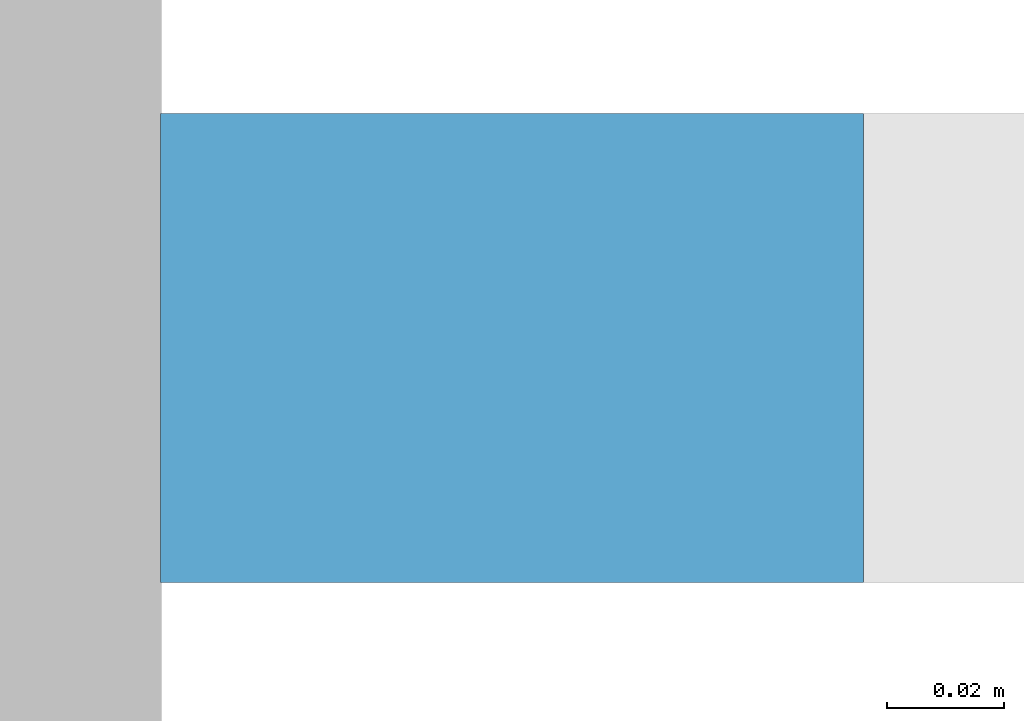
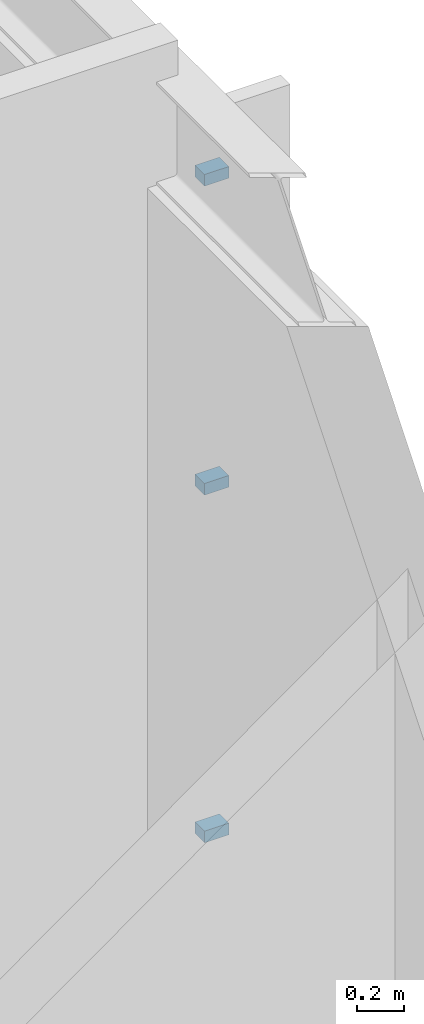
# One storey, part 102 of 127: 3 discrete accessories.
"""IFC4 building model written with IfcOpenShell, lengths in metres."""

from ifc_helpers import new_model, si_unit, direction, frame, origin, origin_2d, place, context, subcontext, project, spatial, rectangle, extrude, material, type_object, element, save


model = new_model("IFC4")

# Units and contexts
model_context = context("Model", 3, precision=1e-05, world=origin(), true_north=direction((0.0, 1.0)))
body_context = subcontext(model_context, "Body", "Model", "MODEL_VIEW")
ifc_project = project(units=[si_unit("LENGTHUNIT", "METRE"), si_unit("AREAUNIT", "SQUARE_METRE"), si_unit("VOLUMEUNIT", "CUBIC_METRE"), si_unit("PLANEANGLEUNIT", "RADIAN"), si_unit("MASSUNIT", "GRAM", prefix="KILO")], contexts=[model_context])

# Site, building, storey
site_placement = place(None, origin())
site = spatial("IfcSite", under=ifc_project, at=site_placement, CompositionType="ELEMENT")
building_placement = place(site_placement, origin())
building = spatial("IfcBuilding", under=site, at=building_placement, Name="Ljudholm Concert House", CompositionType="ELEMENT")
storey_placement = place(building_placement, frame((0.0, 0.0, 5.39990234375)))
storey = spatial("IfcBuildingStorey", under=building, at=storey_placement, Name="L01", CompositionType="ELEMENT", Elevation=5.39990234375)

# Discrete accessories
ifc_material = material(Name="Stainless steel bracket", Category="steel")
discrete_accessory_type = type_object("IfcDiscreteAccessoryType", Name="BRACKET 120", PredefinedType="BRACKET", material=ifc_material)
for number, where, z_axis, x_axis, name in (
    (1, (121.81005859375, 75.39990234375, 0.570068359375), (0.0, 0.0, 1.0), (1.0, 0.0, 0.0), "Fin bracket"),
    (2, (121.81005859375, 75.39990234375, 2.3701171875), (0.0, 0.0, 1.0), (1.0, 0.0, 0.0), "Fin bracket"),
    (3, (121.81005859375, 75.39990234375, 3.969970703125), (0.0, 0.0, 1.0), (1.0, 0.0, 0.0), "Fin bracket"),
):
    element("IfcDiscreteAccessory", number, at=place(storey_placement, frame(where, z_axis=z_axis, x_axis=x_axis)), inside=storey, type_object=discrete_accessory_type, Name=name, PredefinedType="BRACKET", context=body_context, shape_type="SweptSolid", body=[
        extrude(rectangle(XDim=0.1201171875, YDim=0.080078125, at=origin_2d()), origin(), (0.0, 0.0, 1.0), 0.06005859375),
    ])

save(model, "model.ifc")
